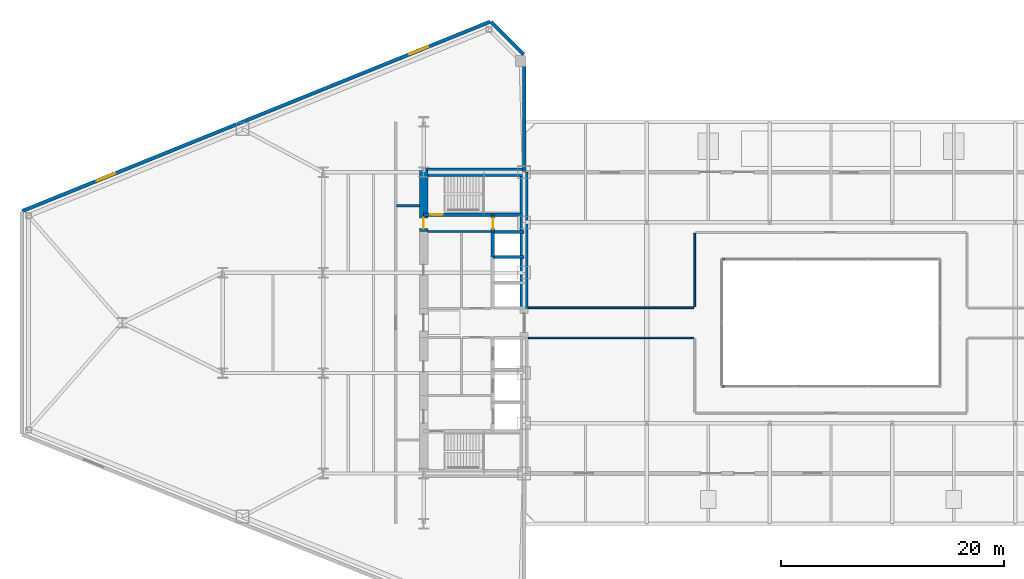
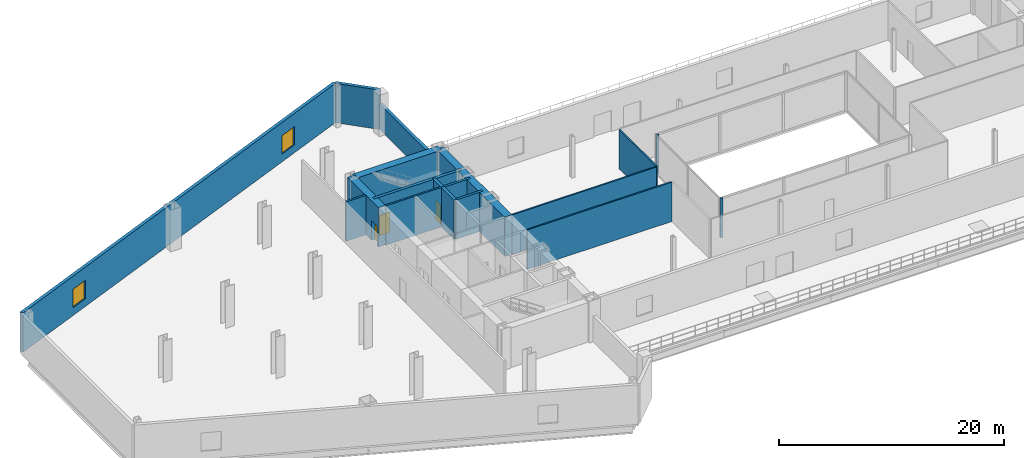
# One storey, part 16 of 23: 18 walls, 3 doors, 2 windows, 5 openings.
"""IFC4 building model written with IfcOpenShell, lengths in metres."""

from ifc_helpers import new_model, si_unit, direction, frame, frame_2d, origin, place, context, subcontext, project, spatial, rectangle, extrude, source, transform, mapped, material, layer, layer_set, type_object, type_shapes, element, fill, save


model = new_model("IFC4")

# Units and contexts
model_context = context("Model", 3, precision=1e-05, world=origin(), true_north=direction((0.0, 1.0)))
body_context = subcontext(model_context, "Body", "Model", "MODEL_VIEW")
ifc_project = project(units=[si_unit("LENGTHUNIT", "METRE"), si_unit("AREAUNIT", "SQUARE_METRE"), si_unit("VOLUMEUNIT", "CUBIC_METRE"), si_unit("PLANEANGLEUNIT", "RADIAN"), si_unit("MASSUNIT", "GRAM", prefix="KILO")], contexts=[model_context])

# Site, building, storey
site_placement = place(None, origin())
site = spatial("IfcSite", under=ifc_project, at=site_placement, CompositionType="ELEMENT")
building_placement = place(site_placement, origin())
building = spatial("IfcBuilding", under=site, at=building_placement, Name="Seokmaru Belvedere", CompositionType="ELEMENT")
storey_placement = place(building_placement, frame((0.0, 0.0, 14.39990234375)))
storey = spatial("IfcBuildingStorey", under=building, at=storey_placement, Name="L03", CompositionType="ELEMENT", Elevation=14.39990234375)

# Walls
ifc_material_1 = material(Name="Fire-Rated Gypsum Shaftwall")
ifc_layer_1 = layer(ifc_material_1, 0.14990234375)
ifc_layer_set_1 = layer_set([ifc_layer_1], Name="Fire-Rated Gypsum Shaftwall")
wall_type_1 = type_object("IfcWallType", Name="Apartment Fire-Acoustic Room Partition 150", PredefinedType="PARTITIONING", material=ifc_layer_set_1)
for number, where, z_axis, x_axis, name in (
    (1, (-27.1201171875, -1.35009765625, 0.0), (0.0, 0.0, 1.0), (1.0, 0.0, 0.0), "L03 Interior Partition 004"),
    (2, (-27.1201171875, 1.35009765625, 0.0), (0.0, 0.0, 1.0), (1.0, 0.0, 0.0), "L03 Interior Partition 006"),
):
    element("IfcWall", number, at=place(storey_placement, frame(where, z_axis=z_axis, x_axis=x_axis)), inside=storey, type_object=wall_type_1, Name=name, PredefinedType="PARTITIONING", context=body_context, shape_type="SweptSolid", body=[
        extrude(rectangle(XDim=14.835205078125, YDim=0.14990234375, at=frame_2d((7.41748046875, 0.0))), origin(), (0.0, 0.0, 1.0), 4.280029296875),
    ])
wall_1_placement = place(storey_placement, frame((-12.199951171875, 1.43505859375, 0.0), z_axis=(0.0, 0.0, 1.0), x_axis=(0.0, 1.0, 0.0)))
element("IfcWall", 3, at=wall_1_placement, inside=storey, type_object=wall_type_1, Name="L03 Interior Partition 014", PredefinedType="PARTITIONING", context=body_context, shape_type="SweptSolid", body=[
    extrude(rectangle(XDim=6.579833984375, YDim=0.14990234375, at=frame_2d((3.2900390625, 0.0))), origin(), (0.0, 0.0, 1.0), 4.280029296875),
])
ifc_material_2 = material(Name="Anodised Bronze Aluminium", Category="aluminium")
ifc_layer_2 = layer(ifc_material_2, 0.2099609375)
ifc_layer_set_2 = layer_set([ifc_layer_2], Name="Anodised Bronze Aluminium")
wall_type_2 = type_object("IfcWallType", Name="Bridge Column Spandrel Closure Pier 210", PredefinedType="SOLIDWALL", material=ifc_layer_set_2)
for number, where, z_axis, x_axis, name in (
    (4, (-9.800048828125, -5.699951171875, 0.0), (0.0, 0.0, 1.0), (1.0, 0.0, 0.0), "L03 Atrium Corner Closure Pier 1"),
    (5, (-9.800048828125, 5.699951171875, 0.0), (0.0, 0.0, 1.0), (1.0, 0.0, 0.0), "L03 Atrium Corner Closure Pier 4"),
):
    element("IfcWall", number, at=place(storey_placement, frame(where, z_axis=z_axis, x_axis=x_axis)), inside=storey, type_object=wall_type_2, Name=name, PredefinedType="SOLIDWALL", context=body_context, shape_type="SweptSolid", body=[
        extrude(rectangle(XDim=0.25, YDim=0.2099609375, at=frame_2d((0.125, 0.0))), origin(), (0.0, 0.0, 1.0), 4.280029296875),
    ])
ifc_layer_3 = layer(ifc_material_1, 0.179931640625)
ifc_layer_set_3 = layer_set([ifc_layer_3], Name="Fire-Rated Gypsum Shaftwall")
wall_type_3 = type_object("IfcWallType", Name="Core Service Fire Partition 180", PredefinedType="PARTITIONING", material=ifc_layer_set_3)
wall_2_placement = place(storey_placement, frame((-36.14990234375, 8.199951171875, 0.0), z_axis=(0.0, 0.0, 1.0), x_axis=(1.0, 0.0, 0.0)))
element("IfcWall", 6, at=wall_2_placement, inside=storey, type_object=wall_type_3, Name="L03 West Smokeproof Vestibule Partition", PredefinedType="PARTITIONING", context=body_context, shape_type="SweptSolid", body=[
    extrude(rectangle(XDim=5.699951171875, YDim=0.179931640625, at=frame_2d((2.85009765625, 0.0))), origin(), (0.0, 0.0, 1.0), 4.280029296875),
])
ifc_material_3 = material(Name="Concrete C50 (50 MPa)", Category="concrete")
ifc_layer_4 = layer(ifc_material_3, 0.25)
ifc_layer_set_4 = layer_set([ifc_layer_4], Name="Concrete C50 (50 MPa)")
wall_type_4 = type_object("IfcWallType", Name="Hoistway Transverse Concrete Divider Wall 250", PredefinedType="SHEAR", material=ifc_layer_set_4)
for number, where, z_axis, x_axis, name in (
    (7, (-30.300048828125, 5.89990234375, 0.0), (0.0, 0.0, 1.0), (1.0, 0.0, 0.0), "L03 West Hoistway Divider Core Wall 6"),
    (8, (-30.300048828125, 8.14990234375, 0.0), (0.0, 0.0, 1.0), (1.0, 0.0, 0.0), "L03 West Hoistway Divider Core Wall 7"),
):
    element("IfcWall", number, at=place(storey_placement, frame(where, z_axis=z_axis, x_axis=x_axis)), inside=storey, type_object=wall_type_4, Name=name, PredefinedType="SHEAR", context=body_context, shape_type="SweptSolid", body=[
        extrude(rectangle(XDim=2.800048828125, YDim=0.25, at=frame_2d((1.39990234375, 0.0))), origin(), (0.0, 0.0, 1.0), 4.280029296875),
    ])
ifc_layer_5 = layer(ifc_material_1, 0.199951171875)
ifc_layer_set_5 = layer_set([ifc_layer_5], Name="Fire-Rated Gypsum Shaftwall")
wall_type_5 = type_object("IfcWallType", Name="Inter-Tenancy Fire Compartment Partition 200", PredefinedType="PARTITIONING", material=ifc_layer_set_5)
wall_3_placement = place(storey_placement, frame((-38.9150390625, 10.5, 0.0), z_axis=(0.0, 0.0, 1.0), x_axis=(1.0, 0.0, 0.0)))
element("IfcWall", 9, at=wall_3_placement, inside=storey, type_object=wall_type_5, Name="L03 Interior Partition 010", PredefinedType="PARTITIONING", context=body_context, shape_type="SweptSolid", body=[
    extrude(rectangle(XDim=2.03515625, YDim=0.199951171875, at=frame_2d((1.017578125, 0.0))), origin(), (0.0, 0.0, 1.0), 4.280029296875),
])

# Wall, opening, door
ifc_layer_6 = layer(ifc_material_3, 0.300048828125)
ifc_layer_set_6 = layer_set([ifc_layer_6], Name="Concrete C50 (50 MPa)")
wall_type_6 = type_object("IfcWallType", Name="Internal Core Stair and Hoistway Wall 300", PredefinedType="SHEAR", material=ifc_layer_set_6)
wall_4_placement = place(storey_placement, frame((-36.5, 9.699951171875, 0.0), z_axis=(0.0, 0.0, 1.0), x_axis=(1.0, 0.0, 0.0)))
wall_4 = element("IfcWall", 10, at=wall_4_placement, inside=storey, type_object=wall_type_6, Name="L03 West Stair ST-2 Enclosure Wall", PredefinedType="SHEAR", context=body_context, shape_type="SweptSolid", body=[
    extrude(rectangle(XDim=9.0, YDim=0.300048828125, at=frame_2d((4.5, 0.0))), origin(), (0.0, 0.0, 1.0), 4.280029296875),
])
opening_1_placement = place(wall_4_placement, frame((0.60009765625, 0.0, 0.0)))
opening_1 = element("IfcOpeningElement", 11, at=opening_1_placement, cuts=wall_4, Name="Opening D01", PredefinedType="OPENING", context=body_context, shape_type="SweptSolid", body=[
    extrude(rectangle(XDim=1.10009765625, YDim=2.199951171875, at=frame_2d((0.550048828125, 1.10009765625))), frame((0.0, 0.16015625, 0.0), z_axis=(0.0, -1.0, 0.0), x_axis=(1.0, 0.0, 0.0)), (0.0, 0.0, 1.0), 0.320068359375),
])
ifc_material_4 = material(Name="Fire-Rated Steel Leaf", Category="steel")
door_type_1 = type_object("IfcDoorType", Name="Special Escape Stair Smokeproof Fire Door 1100x2200", OperationType="NOTDEFINED", PredefinedType="DOOR", material=ifc_material_4)
shared_shape_1 = source(origin(), body_context, "Body", "SweptSolid", [
    extrude(rectangle(XDim=1.10009765625, YDim=2.199951171875, at=frame_2d((0.550048828125, 1.10009765625))), frame((0.0, 0.02490234375, 0.0), z_axis=(0.0, -1.0, 0.0), x_axis=(1.0, 0.0, 0.0)), (0.0, 0.0, 1.0), 0.050048828125),
])
type_shapes(door_type_1, [shared_shape_1])
door_1_placement = place(opening_1_placement, origin())
door_1 = element("IfcDoor", 12, at=door_1_placement, inside=storey, type_object=door_type_1, Name="L03 West Special Escape Stair ST-2 Door", OperationType="SINGLE_SWING_RIGHT", OverallHeight=2.199951171875, OverallWidth=1.10009765625, PredefinedType="DOOR", context=body_context, shape_type="MappedRepresentation", body=[
    mapped(shared_shape_1, transform((0.0, 0.0, 0.0), scale=1.0)),
])
fill(opening_1, door_1)

# Wall
wall_5_placement = place(storey_placement, frame((-30.300048828125, 5.89990234375, 0.0), z_axis=(0.0, 0.0, 1.0), x_axis=(0.0, 1.0, 0.0)))
element("IfcWall", 13, at=wall_5_placement, inside=storey, type_object=wall_type_6, Name="L03 West North Hoistway Wall OBS", PredefinedType="SHEAR", context=body_context, shape_type="SweptSolid", body=[
    extrude(rectangle(XDim=2.25, YDim=0.300048828125, at=frame_2d((1.125, 0.0))), origin(), (0.0, 0.0, 1.0), 4.280029296875),
])

# Wall, opening, door
wall_6_placement = place(storey_placement, frame((-30.300048828125, 8.14990234375, 0.0), z_axis=(0.0, 0.0, 1.0), x_axis=(0.0, 1.0, 0.0)))
wall_6 = element("IfcWall", 14, at=wall_6_placement, inside=storey, type_object=wall_type_6, Name="L03 West Electrical Riser Front Wall", PredefinedType="SHEAR", context=body_context, shape_type="SweptSolid", body=[
    extrude(rectangle(XDim=1.530029296875, YDim=0.300048828125, at=frame_2d((0.76513671875, 0.0))), origin(), (0.0, 0.0, 1.0), 4.280029296875),
])
opening_2_placement = place(wall_6_placement, frame((0.284912109375, 0.0, 0.0)))
opening_2 = element("IfcOpeningElement", 15, at=opening_2_placement, cuts=wall_6, Name="Opening D04", PredefinedType="OPENING", context=body_context, shape_type="SweptSolid", body=[
    extrude(rectangle(XDim=0.949951171875, YDim=2.14990234375, at=frame_2d((0.47509765625, 1.074951171875))), frame((0.0, 0.16015625, 0.0), z_axis=(0.0, -1.0, 0.0), x_axis=(1.0, 0.0, 0.0)), (0.0, 0.0, 1.0), 0.320068359375),
])
door_type_2 = type_object("IfcDoorType", Name="Core Service Room Fire Door 950x2150", OperationType="NOTDEFINED", PredefinedType="DOOR", material=ifc_material_4)
shared_shape_2 = source(origin(), body_context, "Body", "SweptSolid", [
    extrude(rectangle(XDim=0.949951171875, YDim=2.14990234375, at=frame_2d((0.47509765625, 1.074951171875))), frame((0.0, 0.02490234375, 0.0), z_axis=(0.0, -1.0, 0.0), x_axis=(1.0, 0.0, 0.0)), (0.0, 0.0, 1.0), 0.050048828125),
])
type_shapes(door_type_2, [shared_shape_2])
door_2_placement = place(opening_2_placement, origin())
door_2 = element("IfcDoor", 16, at=door_2_placement, inside=storey, type_object=door_type_2, Name="L03 West Electrical Riser Access Door", OperationType="SINGLE_SWING_LEFT", OverallHeight=2.14990234375, OverallWidth=0.949951171875, PredefinedType="DOOR", context=body_context, shape_type="MappedRepresentation", body=[
    mapped(shared_shape_2, transform((0.0, 0.0, 0.0), scale=1.0)),
])
fill(opening_2, door_2)

# Walls
ifc_material_5 = material(Name="Concrete C60 (60 MPa)", Category="concrete")
ifc_layer_7 = layer(ifc_material_5, 0.75)
ifc_layer_set_7 = layer_set([ifc_layer_7], Name="Concrete C60 (60 MPa)")
wall_type_7 = type_object("IfcWallType", Name="Lower Tower Reinforced Concrete Core Wall 750", PredefinedType="SHEAR", material=ifc_layer_set_7)
wall_7_placement = place(storey_placement, frame((-27.5, 1.300048828125, 0.0), z_axis=(0.0, 0.0, 1.0), x_axis=(0.0, 1.0, 0.0)))
element("IfcWall", 17, at=wall_7_placement, inside=storey, type_object=wall_type_7, Name="L03 West Portal Spine Core Wall North", PredefinedType="SHEAR", context=body_context, shape_type="SweptSolid", body=[
    extrude(rectangle(XDim=12.199951171875, YDim=0.75, at=frame_2d((6.10009765625, 0.0))), origin(), (0.0, 0.0, 1.0), 4.280029296875),
])
wall_8_placement = place(storey_placement, frame((-36.5, 13.5, 0.0), z_axis=(0.0, 0.0, 1.0), x_axis=(1.0, 0.0, 0.0)))
element("IfcWall", 18, at=wall_8_placement, inside=storey, type_object=wall_type_7, Name="L03 West North Core Wall", PredefinedType="SHEAR", context=body_context, shape_type="SweptSolid", body=[
    extrude(rectangle(XDim=9.0, YDim=0.75, at=frame_2d((4.5, 0.0))), origin(), (0.0, 0.0, 1.0), 4.280029296875),
])

# Wall, opening, door
wall_9_placement = place(storey_placement, frame((-36.5, 8.199951171875, 0.0), z_axis=(0.0, 0.0, 1.0), x_axis=(0.0, 1.0, 0.0)))
wall_9 = element("IfcWall", 19, at=wall_9_placement, inside=storey, type_object=wall_type_7, Name="L03 West West Core Wall VST", PredefinedType="SHEAR", context=body_context, shape_type="SweptSolid", body=[
    extrude(rectangle(XDim=5.449951171875, YDim=0.75, at=frame_2d((2.72509765625, 0.0))), origin(), (0.0, 0.0, 1.0), 4.280029296875),
])
opening_3_placement = place(wall_9_placement, frame((0.2451171875, 0.0, 0.0)))
opening_3 = element("IfcOpeningElement", 20, at=opening_3_placement, cuts=wall_9, Name="Opening D04", PredefinedType="OPENING", context=body_context, shape_type="SweptSolid", body=[
    extrude(rectangle(XDim=0.949951171875, YDim=2.14990234375, at=frame_2d((0.47509765625, 1.074951171875))), frame((0.0, 0.385009765625, 0.0), z_axis=(0.0, -1.0, 0.0), x_axis=(1.0, 0.0, 0.0)), (0.0, 0.0, 1.0), 0.77001953125),
])
door_3_placement = place(opening_3_placement, frame((0.949951171875, 0.0, 0.0), z_axis=(0.0, 0.0, 1.0), x_axis=(-1.0, 0.0, 0.0)))
door_3 = element("IfcDoor", 21, at=door_3_placement, inside=storey, type_object=door_type_2, Name="L03 West Smokeproof Vestibule Door", OperationType="SINGLE_SWING_RIGHT", OverallHeight=2.14990234375, OverallWidth=0.949951171875, PredefinedType="DOOR", context=body_context, shape_type="MappedRepresentation", body=[
    mapped(shared_shape_2, transform((0.0, 0.0, 0.0), scale=1.0)),
])
fill(opening_3, door_3)

# Walls
ifc_material_6 = material(Name="Concrete C40 (40 MPa)", Category="concrete")
ifc_layer_8 = layer(ifc_material_6, 0.320068359375)
ifc_layer_set_8 = layer_set([ifc_layer_8], Name="Concrete C40 (40 MPa)")
wall_type_8 = type_object("IfcWallType", Name="Podium Terrace Insulated Wall 320", PredefinedType="SOLIDWALL", material=ifc_layer_set_8)
wall_10_placement = place(storey_placement, frame((-27.5, 13.550048828125, 0.0), z_axis=(0.0, 0.0, 1.0), x_axis=(0.0, 1.0, 0.0)))
element("IfcWall", 22, at=wall_10_placement, inside=storey, type_object=wall_type_8, Name="L03 Exterior Podium Spine Wall 13N", PredefinedType="SOLIDWALL", context=body_context, shape_type="SweptSolid", body=[
    extrude(rectangle(XDim=10.39990234375, YDim=0.320068359375, at=frame_2d((5.199951171875, 0.0))), origin(), (0.0, 0.0, 1.0), 2.780029296875),
])
wall_11_placement = place(storey_placement, frame((-27.5283203125, 24.0283203125, 0.0), z_axis=(0.0, 0.0, 1.0), x_axis=(-0.707106781187, 0.707106781187, 0.0)))
element("IfcWall", 23, at=wall_11_placement, inside=storey, type_object=wall_type_8, Name="L03 Exterior Podium Wall 14", PredefinedType="SOLIDWALL", context=body_context, shape_type="SweptSolid", body=[
    extrude(rectangle(XDim=4.16259765625, YDim=0.320068359375, at=frame_2d((2.081298828125, 0.0))), origin(), (0.0, 0.0, 1.0), 4.280029296875),
])

# Wall, openings, windows
wall_12_placement = place(storey_placement, frame((-30.537109375, 26.985107421875, 0.0), z_axis=(0.0, 0.0, 1.0), x_axis=(-0.926944846568, -0.375197616492, 0.0)))
wall_12 = element("IfcWall", 24, at=wall_12_placement, inside=storey, type_object=wall_type_8, Name="L03 Exterior Podium Wall 15", PredefinedType="SOLIDWALL", context=body_context, shape_type="SweptSolid", body=[
    extrude(rectangle(XDim=45.22998046875, YDim=0.320068359375, at=frame_2d((22.614990234375, 0.0))), origin(), (0.0, 0.0, 1.0), 4.280029296875),
])
opening_4_placement = place(wall_12_placement, frame((6.0, 0.0, 0.85009765625)))
opening_4 = element("IfcOpeningElement", 25, at=opening_4_placement, cuts=wall_12, Name="Opening WN2", PredefinedType="OPENING", context=body_context, shape_type="SweptSolid", body=[
    extrude(rectangle(XDim=1.800048828125, YDim=2.0, at=frame_2d((0.89990234375, 1.0))), frame((0.0, 0.169921875, 0.0), z_axis=(0.0, -1.0, 0.0), x_axis=(1.0, 0.0, 0.0)), (0.0, 0.0, 1.0), 0.340087890625),
])
opening_5_placement = place(wall_12_placement, frame((36.22998046875, 0.0, 0.85009765625)))
opening_5 = element("IfcOpeningElement", 26, at=opening_5_placement, cuts=wall_12, Name="Opening WN2", PredefinedType="OPENING", context=body_context, shape_type="SweptSolid", body=[
    extrude(rectangle(XDim=1.800048828125, YDim=2.0, at=frame_2d((0.89990234375, 1.0))), frame((0.0, 0.169921875, 0.0), z_axis=(0.0, -1.0, 0.0), x_axis=(1.0, 0.0, 0.0)), (0.0, 0.0, 1.0), 0.340087890625),
])
ifc_material_7 = material(Name="Bronze Triple Insulating Glass", Category="glass")
window_type = type_object("IfcWindowType", Name="Podium Gallery Window 1800x2000", PartitioningType="SINGLE_PANEL", PredefinedType="WINDOW", material=ifc_material_7)
shared_shape_3 = source(origin(), body_context, "Body", "SweptSolid", [
    extrude(rectangle(XDim=1.800048828125, YDim=2.0, at=frame_2d((0.89990234375, 1.0))), frame((0.0, 0.030029296875, 0.0), z_axis=(0.0, -1.0, 0.0), x_axis=(1.0, 0.0, 0.0)), (0.0, 0.0, 1.0), 0.06005859375),
])
type_shapes(window_type, [shared_shape_3])
window_1_placement = place(opening_4_placement, origin())
window_1 = element("IfcWindow", 27, at=window_1_placement, inside=storey, type_object=window_type, Name="L03 Podium Gallery Window 14-1", OverallHeight=2.0, OverallWidth=1.800048828125, PartitioningType="SINGLE_PANEL", PredefinedType="WINDOW", context=body_context, shape_type="MappedRepresentation", body=[
    mapped(shared_shape_3, transform((0.0, 0.0, 0.0), scale=1.0)),
])
fill(opening_4, window_1)
window_2_placement = place(opening_5_placement, origin())
window_2 = element("IfcWindow", 28, at=window_2_placement, inside=storey, type_object=window_type, Name="L03 Podium Gallery Window 14-2", OverallHeight=2.0, OverallWidth=1.800048828125, PartitioningType="SINGLE_PANEL", PredefinedType="WINDOW", context=body_context, shape_type="MappedRepresentation", body=[
    mapped(shared_shape_3, transform((0.0, 0.0, 0.0), scale=1.0)),
])
fill(opening_5, window_2)

save(model, "model.ifc")
